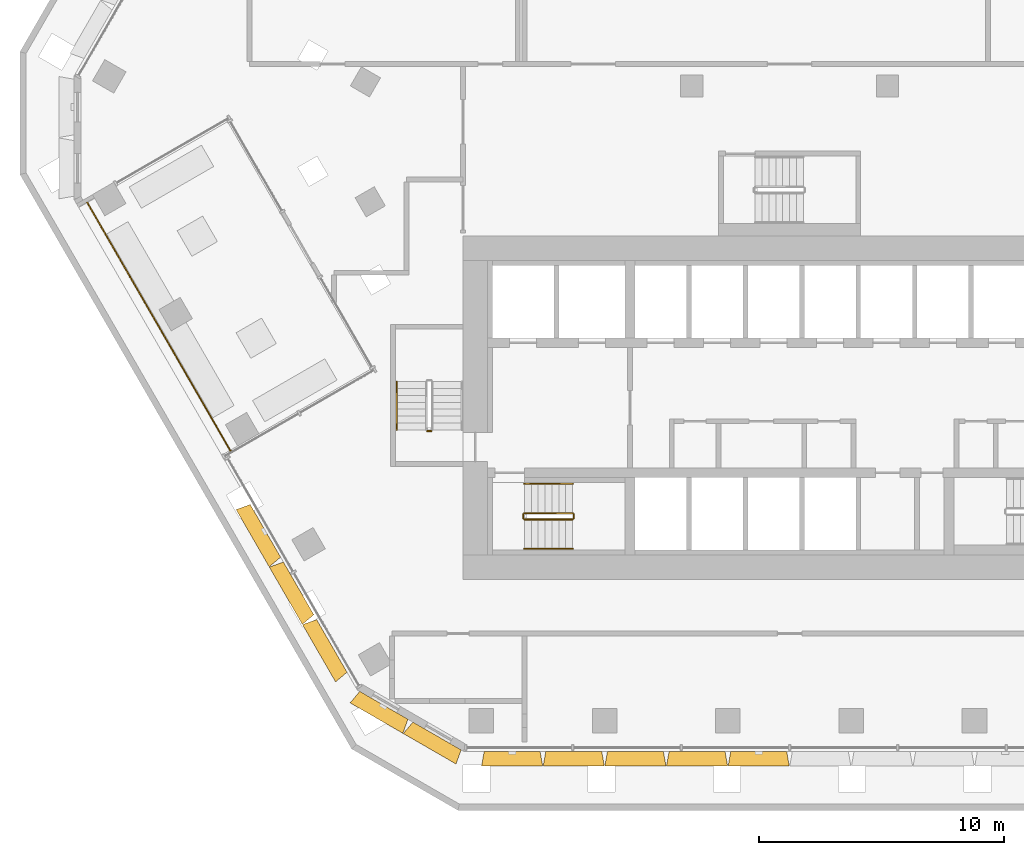
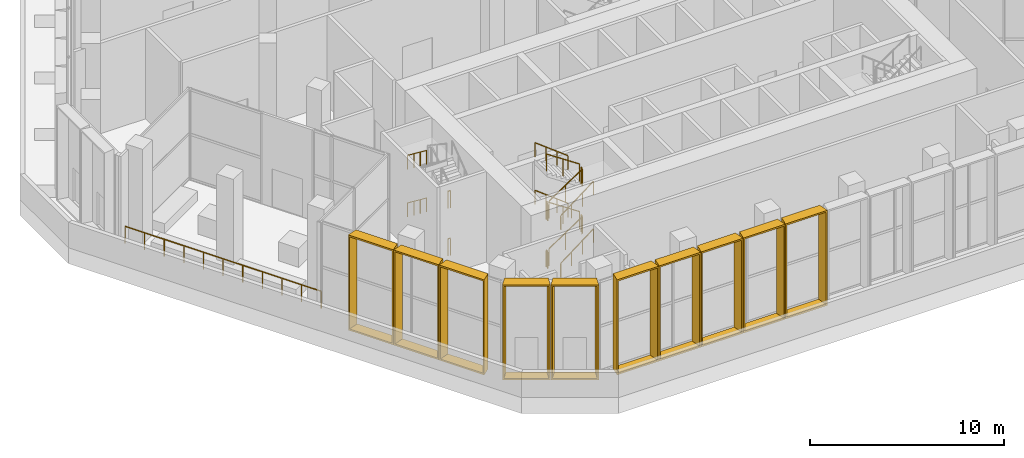
# One storey, part 19 of 23: 17 railings, 10 shading devices.
"""IFC4 building model written with IfcOpenShell, lengths in metres."""

from ifc_helpers import new_model, entity, si_unit, direction, frame, origin, origin_2d, place, context, subcontext, project, spatial, rectangle, extrude, source, transform, mapped, material, type_object, type_shapes, element, save


model = new_model("IFC4")

# Units and contexts
model_context = context("Model", 3, precision=1e-05, world=origin(), true_north=direction((0.0, 1.0)))
body_context = subcontext(model_context, "Body", "Model", "MODEL_VIEW")
ifc_project = project(units=[si_unit("LENGTHUNIT", "METRE"), si_unit("AREAUNIT", "SQUARE_METRE"), si_unit("VOLUMEUNIT", "CUBIC_METRE"), si_unit("PLANEANGLEUNIT", "RADIAN"), si_unit("MASSUNIT", "GRAM", prefix="KILO")], contexts=[model_context])

# Site, building, storey
site_placement = place(None, origin())
site = spatial("IfcSite", under=ifc_project, at=site_placement, CompositionType="ELEMENT")
building_placement = place(site_placement, origin())
building = spatial("IfcBuilding", under=site, at=building_placement, Name="Beryl Residences", CompositionType="ELEMENT")
storey_placement = place(building_placement, frame((0.0, 0.0, 66.0)))
storey = spatial("IfcBuildingStorey", under=building, at=storey_placement, Name="L20", CompositionType="ELEMENT", Elevation=66.0)

# Shading devices
ifc_material_1 = material(Name="Aluminium pale anodised", Category="aluminium")
shading_device_type_1 = type_object("IfcShadingDeviceType", Name="FR250-60A-H60 OUTER SKIN frame 600 mm deep, splay 10/10 deg, 2500 x 6000 mm cell", PredefinedType="USERDEFINED", material=ifc_material_1)
cartesian_point_1 = entity("IfcCartesianPoint", [-1.134033203125, 0.0])
cartesian_point_2 = entity("IfcCartesianPoint", [-1.052734375, 0.10009765625])
cartesian_point_3 = entity("IfcCartesianPoint", [-1.23974609375, 0.0])
cartesian_point_4 = entity("IfcCartesianPoint", [-1.158447265625, 0.10009765625])
shared_shape_1 = source(origin(), body_context, "Body", "SweptSolid", [
    entity("IfcExtrudedAreaSolidTapered", entity("IfcArbitraryProfileDefWithVoids", "AREA", None, entity("IfcPolyline", [cartesian_point_1, entity("IfcCartesianPoint", [1.134033203125, 0.0]), entity("IfcCartesianPoint", [1.134033203125, 6.0]), entity("IfcCartesianPoint", [-1.134033203125, 6.0]), cartesian_point_1]), [entity("IfcPolyline", [cartesian_point_2, entity("IfcCartesianPoint", [1.052734375, 0.10009765625]), entity("IfcCartesianPoint", [1.052734375, 5.89990234375]), entity("IfcCartesianPoint", [-1.052734375, 5.89990234375]), cartesian_point_2])]), entity("IfcAxis2Placement3D", entity("IfcCartesianPoint", [0.0, 0.0, 0.0]), entity("IfcDirection", [0.0, 1.0, 0.0]), entity("IfcDirection", [-1.0, 0.0, 0.0])), entity("IfcDirection", [0.0, 0.0, 1.0]), 0.60009765625, entity("IfcArbitraryProfileDefWithVoids", "AREA", None, entity("IfcPolyline", [cartesian_point_3, entity("IfcCartesianPoint", [1.23974609375, 0.0]), entity("IfcCartesianPoint", [1.23974609375, 6.0]), entity("IfcCartesianPoint", [-1.23974609375, 6.0]), cartesian_point_3]), [entity("IfcPolyline", [cartesian_point_4, entity("IfcCartesianPoint", [1.158447265625, 0.10009765625]), entity("IfcCartesianPoint", [1.158447265625, 5.89990234375]), entity("IfcCartesianPoint", [-1.158447265625, 5.89990234375]), cartesian_point_4])])),
])
type_shapes(shading_device_type_1, [shared_shape_1])
for number, where, z_axis, x_axis, name in (
    (1, (-16.527099609375, -24.125, 0.0), (0.0, 0.0, 1.0), (-0.866025403784, 0.5, 0.0), "FR250-60A-H60 frame L20 SW-S 1"),
    (2, (-14.361083984375, -25.375, 0.0), (0.0, 0.0, 1.0), (-0.866025403784, 0.5, 0.0), "FR250-60A-H60 frame L20 SW-S 2"),
):
    element("IfcShadingDevice", number, at=place(storey_placement, frame(where, z_axis=z_axis, x_axis=x_axis)), inside=storey, type_object=shading_device_type_1, Name=name, ObjectType="OUTER SKIN", PredefinedType="USERDEFINED", context=body_context, shape_type="MappedRepresentation", body=[
        mapped(shared_shape_1, transform((0.0, 0.0, 0.0))),
    ])
ifc_material_2 = material(Name="Aluminium pale anodised", Category="aluminium")
shading_device_type_2 = type_object("IfcShadingDeviceType", Name="FR251-60A-H60 OUTER SKIN frame 600 mm deep, splay 10/10 deg, 2510 x 6000 mm cell", PredefinedType="USERDEFINED", material=ifc_material_2)
cartesian_point_5 = entity("IfcCartesianPoint", [-1.138916015625, 0.0])
cartesian_point_6 = entity("IfcCartesianPoint", [-1.057861328125, 0.10009765625])
cartesian_point_7 = entity("IfcCartesianPoint", [-1.244873046875, 0.0])
cartesian_point_8 = entity("IfcCartesianPoint", [-1.16357421875, 0.10009765625])
shared_shape_2 = source(origin(), body_context, "Body", "SweptSolid", [
    entity("IfcExtrudedAreaSolidTapered", entity("IfcArbitraryProfileDefWithVoids", "AREA", None, entity("IfcPolyline", [cartesian_point_5, entity("IfcCartesianPoint", [1.138916015625, 0.0]), entity("IfcCartesianPoint", [1.138916015625, 6.0]), entity("IfcCartesianPoint", [-1.138916015625, 6.0]), cartesian_point_5]), [entity("IfcPolyline", [cartesian_point_6, entity("IfcCartesianPoint", [1.057861328125, 0.10009765625]), entity("IfcCartesianPoint", [1.057861328125, 5.89990234375]), entity("IfcCartesianPoint", [-1.057861328125, 5.89990234375]), cartesian_point_6])]), entity("IfcAxis2Placement3D", entity("IfcCartesianPoint", [0.0, 0.0, 0.0]), entity("IfcDirection", [0.0, 1.0, 0.0]), entity("IfcDirection", [-1.0, 0.0, 0.0])), entity("IfcDirection", [0.0, 0.0, 1.0]), 0.60009765625, entity("IfcArbitraryProfileDefWithVoids", "AREA", None, entity("IfcPolyline", [cartesian_point_7, entity("IfcCartesianPoint", [1.244873046875, 0.0]), entity("IfcCartesianPoint", [1.244873046875, 6.0]), entity("IfcCartesianPoint", [-1.244873046875, 6.0]), cartesian_point_7]), [entity("IfcPolyline", [cartesian_point_8, entity("IfcCartesianPoint", [1.16357421875, 0.10009765625]), entity("IfcCartesianPoint", [1.16357421875, 5.89990234375]), entity("IfcCartesianPoint", [-1.16357421875, 5.89990234375]), cartesian_point_8])])),
])
type_shapes(shading_device_type_2, [shared_shape_2])
for number, where, z_axis, x_axis, name in (
    (3, (-11.301025390625, -26.0, 0.0), (0.0, 0.0, 1.0), (-1.0, 0.0, 0.0), "FR251-60A-H60 frame L20 S 1"),
    (4, (-8.7900390625, -26.0, 0.0), (0.0, 0.0, 1.0), (-1.0, 0.0, 0.0), "FR251-60A-H60 frame L20 S 2"),
    (5, (-6.278076171875, -26.0, 0.0), (0.0, 0.0, 1.0), (-1.0, 0.0, 0.0), "FR251-60A-H60 frame L20 S 3"),
    (6, (-3.76708984375, -26.0, 0.0), (0.0, 0.0, 1.0), (-1.0, 0.0, 0.0), "FR251-60A-H60 frame L20 S 4"),
    (7, (-1.2548828125, -26.0, 0.0), (0.0, 0.0, 1.0), (-1.0, 0.0, 0.0), "FR251-60A-H60 frame L20 S 5"),
):
    element("IfcShadingDevice", number, at=place(storey_placement, frame(where, z_axis=z_axis, x_axis=x_axis)), inside=storey, type_object=shading_device_type_2, Name=name, ObjectType="OUTER SKIN", PredefinedType="USERDEFINED", context=body_context, shape_type="MappedRepresentation", body=[
        mapped(shared_shape_2, transform((0.0, 0.0, 0.0))),
    ])
ifc_material_3 = material(Name="Aluminium pale anodised", Category="aluminium")
shading_device_type_3 = type_object("IfcShadingDeviceType", Name="FR271-60A-H60 OUTER SKIN frame 600 mm deep, splay 10/10 deg, 2710 x 6000 mm cell", PredefinedType="USERDEFINED", material=ifc_material_3)
cartesian_point_9 = entity("IfcCartesianPoint", [-1.239013671875, 0.0])
cartesian_point_10 = entity("IfcCartesianPoint", [-1.15771484375, 0.10009765625])
cartesian_point_11 = entity("IfcCartesianPoint", [-1.3447265625, 0.0])
cartesian_point_12 = entity("IfcCartesianPoint", [-1.263671875, 0.10009765625])
shared_shape_3 = source(origin(), body_context, "Body", "SweptSolid", [
    entity("IfcExtrudedAreaSolidTapered", entity("IfcArbitraryProfileDefWithVoids", "AREA", None, entity("IfcPolyline", [cartesian_point_9, entity("IfcCartesianPoint", [1.239013671875, 0.0]), entity("IfcCartesianPoint", [1.239013671875, 6.0]), entity("IfcCartesianPoint", [-1.239013671875, 6.0]), cartesian_point_9]), [entity("IfcPolyline", [cartesian_point_10, entity("IfcCartesianPoint", [1.15771484375, 0.10009765625]), entity("IfcCartesianPoint", [1.15771484375, 5.89990234375]), entity("IfcCartesianPoint", [-1.15771484375, 5.89990234375]), cartesian_point_10])]), entity("IfcAxis2Placement3D", entity("IfcCartesianPoint", [0.0, 0.0, 0.0]), entity("IfcDirection", [0.0, 1.0, 0.0]), entity("IfcDirection", [-1.0, 0.0, 0.0])), entity("IfcDirection", [0.0, 0.0, 1.0]), 0.60009765625, entity("IfcArbitraryProfileDefWithVoids", "AREA", None, entity("IfcPolyline", [cartesian_point_11, entity("IfcCartesianPoint", [1.3447265625, 0.0]), entity("IfcCartesianPoint", [1.3447265625, 6.0]), entity("IfcCartesianPoint", [-1.3447265625, 6.0]), cartesian_point_11]), [entity("IfcPolyline", [cartesian_point_12, entity("IfcCartesianPoint", [1.263671875, 0.10009765625]), entity("IfcCartesianPoint", [1.263671875, 5.89990234375]), entity("IfcCartesianPoint", [-1.263671875, 5.89990234375]), cartesian_point_12])])),
])
type_shapes(shading_device_type_3, [shared_shape_3])
for number, where, z_axis, x_axis, name in (
    (8, (-21.35302734375, -17.01611328125, 0.0), (0.0, 0.0, 1.0), (-0.5, 0.866025403784, 0.0), "FR271-60A-H60 frame L20 SW 6"),
    (9, (-20.0, -19.360107421875, 0.0), (0.0, 0.0, 1.0), (-0.5, 0.866025403784, 0.0), "FR271-60A-H60 frame L20 SW 7"),
    (10, (-18.64697265625, -21.7041015625, 0.0), (0.0, 0.0, 1.0), (-0.5, 0.866025403784, 0.0), "FR271-60A-H60 frame L20 SW 8"),
):
    element("IfcShadingDevice", number, at=place(storey_placement, frame(where, z_axis=z_axis, x_axis=x_axis)), inside=storey, type_object=shading_device_type_3, Name=name, ObjectType="OUTER SKIN", PredefinedType="USERDEFINED", context=body_context, shape_type="MappedRepresentation", body=[
        mapped(shared_shape_3, transform((0.0, 0.0, 0.0))),
    ])

# Railings
ifc_material_4 = material(Name="Stainless steel balustrade with glass infill", Category="steel")
railing_type_1 = type_object("IfcRailingType", Name="SG1 stair guard 1100 mm", PredefinedType="GUARDRAIL", material=ifc_material_4)
railing_1_placement = place(storey_placement, frame((-10.800048828125, -16.550048828125, 0.1875)))
element("IfcRailing", 11, at=railing_1_placement, inside=storey, type_object=railing_type_1, Name="L20 ST-1 stair guard 1", PredefinedType="GUARDRAIL", context=body_context, shape_type="SweptSolid", body=[
    extrude(rectangle(XDim=0.048095703125, YDim=0.048095703125, at=origin_2d()), frame((0.0, 0.0, 1.076171875), z_axis=(0.830902050051, 0.0, 0.556418712142), x_axis=(0.0, 1.0, 0.0)), (0.0, 0.0, 1.0), 2.35888671875),
    extrude(rectangle(XDim=0.0419921875, YDim=0.0419921875, at=origin_2d()), origin(), (0.0, 0.0, 1.0), 1.052001953125),
    extrude(rectangle(XDim=0.0419921875, YDim=0.0419921875, at=origin_2d()), frame((0.97998046875, 0.0, 0.65625)), (0.0, 0.0, 1.0), 1.052001953125),
    extrude(rectangle(XDim=0.0419921875, YDim=0.0419921875, at=origin_2d()), frame((1.9599609375, 0.0, 1.3125)), (0.0, 0.0, 1.0), 1.052001953125),
])
railing_2_placement = place(storey_placement, frame((-8.7900390625, -16.5, 1.5)))
element("IfcRailing", 12, at=railing_2_placement, inside=storey, type_object=railing_type_1, Name="L20 ST-1 stair guard 2", PredefinedType="GUARDRAIL", context=body_context, shape_type="SweptSolid", body=[
    extrude(rectangle(XDim=0.048095703125, YDim=0.048095703125, at=origin_2d()), frame((0.0, 0.0, 1.076171875), z_axis=(0.0, 1.0, 0.0), x_axis=(-1.0, 0.0, 0.0)), (0.0, 0.0, 1.0), 0.14990234375),
    extrude(rectangle(XDim=0.0419921875, YDim=0.0419921875, at=origin_2d()), origin(), (0.0, 0.0, 1.0), 1.052001953125),
    extrude(rectangle(XDim=0.0419921875, YDim=0.0419921875, at=origin_2d()), frame((0.0, 0.14990234375, 0.0)), (0.0, 0.0, 1.0), 1.052001953125),
])
railing_3_placement = place(storey_placement, frame((-8.840087890625, -16.300048828125, 1.6875)))
element("IfcRailing", 13, at=railing_3_placement, inside=storey, type_object=railing_type_1, Name="L20 ST-1 stair guard 3", PredefinedType="GUARDRAIL", context=body_context, shape_type="SweptSolid", body=[
    extrude(rectangle(XDim=0.048095703125, YDim=0.048095703125, at=origin_2d()), frame((0.0, 0.0, 1.076171875), z_axis=(-0.830902050051, 0.0, 0.556418712142), x_axis=(0.0, -1.0, 0.0)), (0.0, 0.0, 1.0), 2.35888671875),
    extrude(rectangle(XDim=0.0419921875, YDim=0.0419921875, at=origin_2d()), origin(), (0.0, 0.0, 1.0), 1.052001953125),
    extrude(rectangle(XDim=0.0419921875, YDim=0.0419921875, at=origin_2d()), frame((-0.97998046875, 0.0, 0.65625)), (0.0, 0.0, 1.0), 1.052001953125),
    extrude(rectangle(XDim=0.0419921875, YDim=0.0419921875, at=origin_2d()), frame((-1.9599609375, 0.0, 1.3125)), (0.0, 0.0, 1.0), 1.052001953125),
])
railing_4_placement = place(storey_placement, frame((-10.85009765625, -16.5, 3.0)))
element("IfcRailing", 14, at=railing_4_placement, inside=storey, type_object=railing_type_1, Name="L20 ST-1 stair guard 4", PredefinedType="GUARDRAIL", context=body_context, shape_type="SweptSolid", body=[
    extrude(rectangle(XDim=0.048095703125, YDim=0.048095703125, at=origin_2d()), frame((0.0, 0.0, 1.076171875), z_axis=(0.0, 1.0, 0.0), x_axis=(-1.0, 0.0, 0.0)), (0.0, 0.0, 1.0), 0.14990234375),
    extrude(rectangle(XDim=0.0419921875, YDim=0.0419921875, at=origin_2d()), origin(), (0.0, 0.0, 1.0), 1.052001953125),
    extrude(rectangle(XDim=0.0419921875, YDim=0.0419921875, at=origin_2d()), frame((0.0, 0.14990234375, 0.0)), (0.0, 0.0, 1.0), 1.052001953125),
])
railing_5_placement = place(storey_placement, frame((-10.800048828125, -16.550048828125, 3.1875)))
element("IfcRailing", 15, at=railing_5_placement, inside=storey, type_object=railing_type_1, Name="L20 ST-1 stair guard 5", PredefinedType="GUARDRAIL", context=body_context, shape_type="SweptSolid", body=[
    extrude(rectangle(XDim=0.048095703125, YDim=0.048095703125, at=origin_2d()), frame((0.0, 0.0, 1.076171875), z_axis=(0.830902050051, 0.0, 0.556418712142), x_axis=(0.0, 1.0, 0.0)), (0.0, 0.0, 1.0), 2.35888671875),
    extrude(rectangle(XDim=0.0419921875, YDim=0.0419921875, at=origin_2d()), origin(), (0.0, 0.0, 1.0), 1.052001953125),
    extrude(rectangle(XDim=0.0419921875, YDim=0.0419921875, at=origin_2d()), frame((0.97998046875, 0.0, 0.65625)), (0.0, 0.0, 1.0), 1.052001953125),
    extrude(rectangle(XDim=0.0419921875, YDim=0.0419921875, at=origin_2d()), frame((1.9599609375, 0.0, 1.3125)), (0.0, 0.0, 1.0), 1.052001953125),
])
railing_6_placement = place(storey_placement, frame((-8.7900390625, -16.5, 4.5)))
element("IfcRailing", 16, at=railing_6_placement, inside=storey, type_object=railing_type_1, Name="L20 ST-1 stair guard 6", PredefinedType="GUARDRAIL", context=body_context, shape_type="SweptSolid", body=[
    extrude(rectangle(XDim=0.048095703125, YDim=0.048095703125, at=origin_2d()), frame((0.0, 0.0, 1.076171875), z_axis=(0.0, 1.0, 0.0), x_axis=(-1.0, 0.0, 0.0)), (0.0, 0.0, 1.0), 0.14990234375),
    extrude(rectangle(XDim=0.0419921875, YDim=0.0419921875, at=origin_2d()), origin(), (0.0, 0.0, 1.0), 1.052001953125),
    extrude(rectangle(XDim=0.0419921875, YDim=0.0419921875, at=origin_2d()), frame((0.0, 0.14990234375, 0.0)), (0.0, 0.0, 1.0), 1.052001953125),
])
railing_7_placement = place(storey_placement, frame((-8.840087890625, -16.300048828125, 4.6875)))
element("IfcRailing", 17, at=railing_7_placement, inside=storey, type_object=railing_type_1, Name="L20 ST-1 stair guard 7", PredefinedType="GUARDRAIL", context=body_context, shape_type="SweptSolid", body=[
    extrude(rectangle(XDim=0.048095703125, YDim=0.048095703125, at=origin_2d()), frame((0.0, 0.0, 1.076171875), z_axis=(-0.830902050051, 0.0, 0.556418712142), x_axis=(0.0, -1.0, 0.0)), (0.0, 0.0, 1.0), 2.35888671875),
    extrude(rectangle(XDim=0.0419921875, YDim=0.0419921875, at=origin_2d()), origin(), (0.0, 0.0, 1.0), 1.052001953125),
    extrude(rectangle(XDim=0.0419921875, YDim=0.0419921875, at=origin_2d()), frame((-0.97998046875, 0.0, 0.65625)), (0.0, 0.0, 1.0), 1.052001953125),
    extrude(rectangle(XDim=0.0419921875, YDim=0.0419921875, at=origin_2d()), frame((-1.9599609375, 0.0, 1.3125)), (0.0, 0.0, 1.0), 1.052001953125),
])
railing_8_placement = place(storey_placement, frame((-10.85009765625, -16.5, 0.0)))
element("IfcRailing", 18, at=railing_8_placement, inside=storey, type_object=railing_type_1, Name="L20 ST-1 stair guard 8", PredefinedType="GUARDRAIL", context=body_context, shape_type="SweptSolid", body=[
    extrude(rectangle(XDim=0.048095703125, YDim=0.048095703125, at=origin_2d()), frame((0.0, 0.0, 1.076171875), z_axis=(0.0, 1.0, 0.0), x_axis=(-1.0, 0.0, 0.0)), (0.0, 0.0, 1.0), 0.14990234375),
    extrude(rectangle(XDim=0.0419921875, YDim=0.0419921875, at=origin_2d()), origin(), (0.0, 0.0, 1.0), 1.052001953125),
    extrude(rectangle(XDim=0.0419921875, YDim=0.0419921875, at=origin_2d()), frame((0.0, 0.14990234375, 0.0)), (0.0, 0.0, 1.0), 1.052001953125),
])
for number, where, name in (
    (19, (-14.60009765625, -12.949951171875, 3.0), "L20 ST-2 stair guard 4"),
    (20, (-14.60009765625, -12.949951171875, 0.0), "L20 ST-2 stair guard 8"),
):
    element("IfcRailing", number, at=place(storey_placement, frame(where)), inside=storey, type_object=railing_type_1, Name=name, PredefinedType="GUARDRAIL", context=body_context, shape_type="SweptSolid", body=[
        extrude(rectangle(XDim=0.048095703125, YDim=0.048095703125, at=origin_2d()), frame((0.0, 0.0, 1.076171875), z_axis=(-1.0, 0.0, 0.0), x_axis=(0.0, -1.0, 0.0)), (0.0, 0.0, 1.0), 0.14990234375),
        extrude(rectangle(XDim=0.0419921875, YDim=0.0419921875, at=origin_2d()), origin(), (0.0, 0.0, 1.0), 1.052001953125),
        extrude(rectangle(XDim=0.0419921875, YDim=0.0419921875, at=origin_2d()), frame((-0.14990234375, 0.0, 0.0)), (0.0, 0.0, 1.0), 1.052001953125),
    ])
ifc_material_5 = material(Name="Stainless steel handrail", Category="steel")
railing_type_2 = type_object("IfcRailingType", Name="SRL1 stair handrail 900 mm", PredefinedType="HANDRAIL", material=ifc_material_5)
railing_9_placement = place(storey_placement, frame((-10.800048828125, -17.75, 0.1875)))
element("IfcRailing", 21, at=railing_9_placement, inside=storey, type_object=railing_type_2, Name="L20 ST-1 stair handrail 1", PredefinedType="HANDRAIL", context=body_context, shape_type="SweptSolid", body=[
    extrude(rectangle(XDim=0.048095703125, YDim=0.048095703125, at=origin_2d()), frame((0.0, 0.0, 0.8759765625), z_axis=(0.794121922505, 0.0, 0.607758481798), x_axis=(0.0, 1.0, 0.0)), (0.0, 0.0, 1.0), 2.468017578125),
    extrude(rectangle(XDim=0.0419921875, YDim=0.0419921875, at=origin_2d()), origin(), (0.0, 0.0, 1.0), 0.851806640625),
    extrude(rectangle(XDim=0.0419921875, YDim=0.0419921875, at=origin_2d()), frame((0.6533203125, 0.0, 0.5)), (0.0, 0.0, 1.0), 0.851806640625),
    extrude(rectangle(XDim=0.0419921875, YDim=0.0419921875, at=origin_2d()), frame((1.306640625, 0.0, 1.0)), (0.0, 0.0, 1.0), 0.851806640625),
    extrude(rectangle(XDim=0.0419921875, YDim=0.0419921875, at=origin_2d()), frame((1.9599609375, 0.0, 1.5)), (0.0, 0.0, 1.0), 0.851806640625),
])
railing_10_placement = place(storey_placement, frame((-8.840087890625, -15.10009765625, 1.6875)))
element("IfcRailing", 22, at=railing_10_placement, inside=storey, type_object=railing_type_2, Name="L20 ST-1 stair handrail 2", PredefinedType="HANDRAIL", context=body_context, shape_type="SweptSolid", body=[
    extrude(rectangle(XDim=0.048095703125, YDim=0.048095703125, at=origin_2d()), frame((0.0, 0.0, 0.8759765625), z_axis=(-0.794121922505, 0.0, 0.607758481798), x_axis=(0.0, -1.0, 0.0)), (0.0, 0.0, 1.0), 2.468017578125),
    extrude(rectangle(XDim=0.0419921875, YDim=0.0419921875, at=origin_2d()), origin(), (0.0, 0.0, 1.0), 0.851806640625),
    extrude(rectangle(XDim=0.0419921875, YDim=0.0419921875, at=origin_2d()), frame((-0.6533203125, 0.0, 0.5)), (0.0, 0.0, 1.0), 0.851806640625),
    extrude(rectangle(XDim=0.0419921875, YDim=0.0419921875, at=origin_2d()), frame((-1.306640625, 0.0, 1.0)), (0.0, 0.0, 1.0), 0.851806640625),
    extrude(rectangle(XDim=0.0419921875, YDim=0.0419921875, at=origin_2d()), frame((-1.9599609375, 0.0, 1.5)), (0.0, 0.0, 1.0), 0.851806640625),
])
railing_11_placement = place(storey_placement, frame((-10.800048828125, -17.75, 3.1875)))
element("IfcRailing", 23, at=railing_11_placement, inside=storey, type_object=railing_type_2, Name="L20 ST-1 stair handrail 3", PredefinedType="HANDRAIL", context=body_context, shape_type="SweptSolid", body=[
    extrude(rectangle(XDim=0.048095703125, YDim=0.048095703125, at=origin_2d()), frame((0.0, 0.0, 0.8759765625), z_axis=(0.794121922505, 0.0, 0.607758481798), x_axis=(0.0, 1.0, 0.0)), (0.0, 0.0, 1.0), 2.468017578125),
    extrude(rectangle(XDim=0.0419921875, YDim=0.0419921875, at=origin_2d()), origin(), (0.0, 0.0, 1.0), 0.851806640625),
    extrude(rectangle(XDim=0.0419921875, YDim=0.0419921875, at=origin_2d()), frame((0.6533203125, 0.0, 0.5)), (0.0, 0.0, 1.0), 0.851806640625),
    extrude(rectangle(XDim=0.0419921875, YDim=0.0419921875, at=origin_2d()), frame((1.306640625, 0.0, 1.0)), (0.0, 0.0, 1.0), 0.851806640625),
    extrude(rectangle(XDim=0.0419921875, YDim=0.0419921875, at=origin_2d()), frame((1.9599609375, 0.0, 1.5)), (0.0, 0.0, 1.0), 0.851806640625),
])
railing_12_placement = place(storey_placement, frame((-8.840087890625, -15.10009765625, 4.6875)))
element("IfcRailing", 24, at=railing_12_placement, inside=storey, type_object=railing_type_2, Name="L20 ST-1 stair handrail 4", PredefinedType="HANDRAIL", context=body_context, shape_type="SweptSolid", body=[
    extrude(rectangle(XDim=0.048095703125, YDim=0.048095703125, at=origin_2d()), frame((0.0, 0.0, 0.8759765625), z_axis=(-0.794121922505, 0.0, 0.607758481798), x_axis=(0.0, -1.0, 0.0)), (0.0, 0.0, 1.0), 2.468017578125),
    extrude(rectangle(XDim=0.0419921875, YDim=0.0419921875, at=origin_2d()), origin(), (0.0, 0.0, 1.0), 0.851806640625),
    extrude(rectangle(XDim=0.0419921875, YDim=0.0419921875, at=origin_2d()), frame((-0.6533203125, 0.0, 0.5)), (0.0, 0.0, 1.0), 0.851806640625),
    extrude(rectangle(XDim=0.0419921875, YDim=0.0419921875, at=origin_2d()), frame((-1.306640625, 0.0, 1.0)), (0.0, 0.0, 1.0), 0.851806640625),
    extrude(rectangle(XDim=0.0419921875, YDim=0.0419921875, at=origin_2d()), frame((-1.9599609375, 0.0, 1.5)), (0.0, 0.0, 1.0), 0.851806640625),
])
for number, where, name in (
    (25, (-16.0, -10.93994140625, 1.6875), "L20 ST-2 stair handrail 2"),
    (26, (-16.0, -10.93994140625, 4.6875), "L20 ST-2 stair handrail 4"),
):
    element("IfcRailing", number, at=place(storey_placement, frame(where)), inside=storey, type_object=railing_type_2, Name=name, PredefinedType="HANDRAIL", context=body_context, shape_type="SweptSolid", body=[
        extrude(rectangle(XDim=0.048095703125, YDim=0.048095703125, at=origin_2d()), frame((0.0, 0.0, 0.8759765625), z_axis=(0.0, -0.794121922505, 0.607758481798), x_axis=(1.0, 0.0, 0.0)), (0.0, 0.0, 1.0), 2.468017578125),
        extrude(rectangle(XDim=0.0419921875, YDim=0.0419921875, at=origin_2d()), origin(), (0.0, 0.0, 1.0), 0.851806640625),
        extrude(rectangle(XDim=0.0419921875, YDim=0.0419921875, at=origin_2d()), frame((0.0, -0.6533203125, 0.5)), (0.0, 0.0, 1.0), 0.851806640625),
        extrude(rectangle(XDim=0.0419921875, YDim=0.0419921875, at=origin_2d()), frame((0.0, -1.306640625, 1.0)), (0.0, 0.0, 1.0), 0.851806640625),
        extrude(rectangle(XDim=0.0419921875, YDim=0.0419921875, at=origin_2d()), frame((0.0, -1.9599609375, 1.5)), (0.0, 0.0, 1.0), 0.851806640625),
    ])
ifc_material_6 = material(Name="Stainless steel and clear glass", Category="steel")
railing_type_3 = type_object("IfcRailingType", Name="XG1 guard 1100 mm", PredefinedType="GUARDRAIL", material=ifc_material_6)
railing_13_placement = place(storey_placement, frame((-28.623046875, -3.6240234375, 0.0)))
element("IfcRailing", 27, at=railing_13_placement, inside=storey, type_object=railing_type_3, Name="XG1 guard L20 SW garden edge", PredefinedType="GUARDRAIL", context=body_context, shape_type="SweptSolid", body=[
    extrude(rectangle(XDim=0.048095703125, YDim=0.048095703125, at=origin_2d()), frame((0.0, 0.0, 1.076171875), z_axis=(0.500004276729, -0.8660229346, 0.0), x_axis=(0.8660229346, 0.500004276729, 0.0)), (0.0, 0.0, 1.0), 11.6982421875),
    extrude(rectangle(XDim=0.0419921875, YDim=0.0419921875, at=origin_2d()), origin(), (0.0, 0.0, 1.0), 1.052001953125),
    extrude(rectangle(XDim=0.0419921875, YDim=0.0419921875, at=origin_2d()), frame((0.5849609375, -1.01318359375, 0.0)), (0.0, 0.0, 1.0), 1.052001953125),
    extrude(rectangle(XDim=0.0419921875, YDim=0.0419921875, at=origin_2d()), frame((1.169921875, -2.026123046875, 0.0)), (0.0, 0.0, 1.0), 1.052001953125),
    extrude(rectangle(XDim=0.0419921875, YDim=0.0419921875, at=origin_2d()), frame((1.754638671875, -3.039306640625, 0.0)), (0.0, 0.0, 1.0), 1.052001953125),
    extrude(rectangle(XDim=0.0419921875, YDim=0.0419921875, at=origin_2d()), frame((2.339599609375, -4.05224609375, 0.0)), (0.0, 0.0, 1.0), 1.052001953125),
    extrude(rectangle(XDim=0.0419921875, YDim=0.0419921875, at=origin_2d()), frame((2.924560546875, -5.0654296875, 0.0)), (0.0, 0.0, 1.0), 1.052001953125),
    extrude(rectangle(XDim=0.0419921875, YDim=0.0419921875, at=origin_2d()), frame((3.509521484375, -6.07861328125, 0.0)), (0.0, 0.0, 1.0), 1.052001953125),
    extrude(rectangle(XDim=0.0419921875, YDim=0.0419921875, at=origin_2d()), frame((4.094482421875, -7.091552734375, 0.0)), (0.0, 0.0, 1.0), 1.052001953125),
    extrude(rectangle(XDim=0.0419921875, YDim=0.0419921875, at=origin_2d()), frame((4.67919921875, -8.104736328125, 0.0)), (0.0, 0.0, 1.0), 1.052001953125),
    extrude(rectangle(XDim=0.0419921875, YDim=0.0419921875, at=origin_2d()), frame((5.26416015625, -9.11767578125, 0.0)), (0.0, 0.0, 1.0), 1.052001953125),
    extrude(rectangle(XDim=0.0419921875, YDim=0.0419921875, at=origin_2d()), frame((5.84912109375, -10.130859375, 0.0)), (0.0, 0.0, 1.0), 1.052001953125),
])

save(model, "model.ifc")
